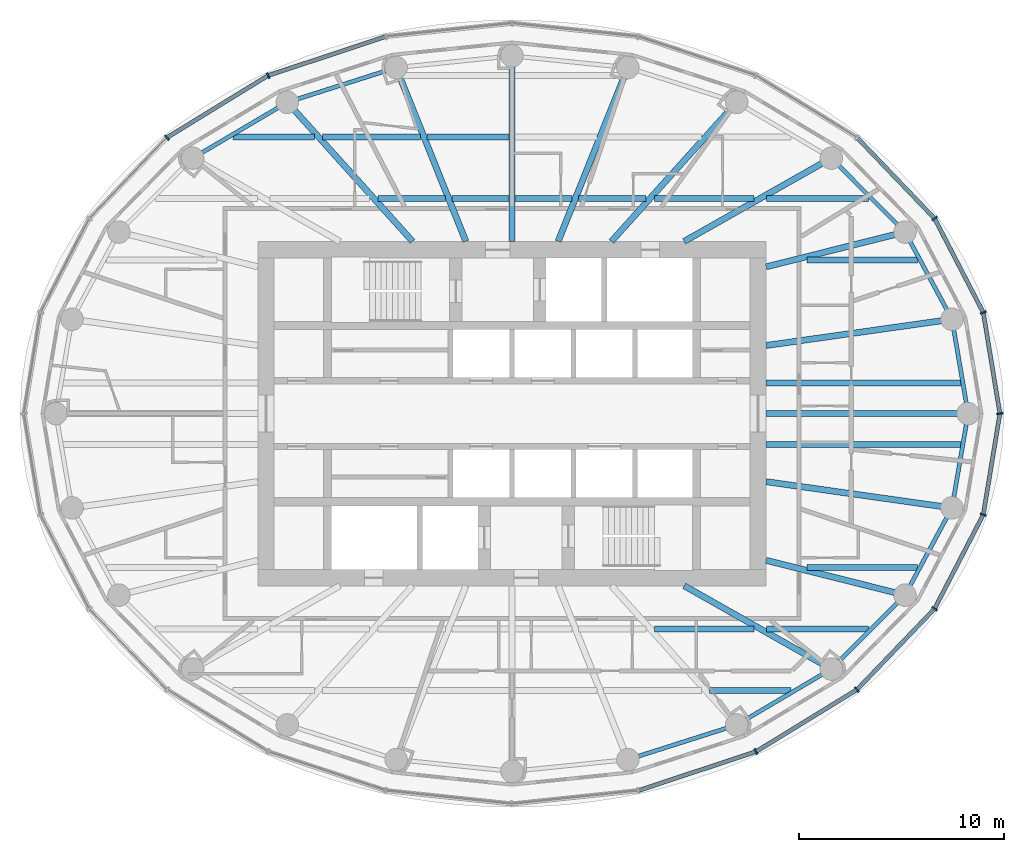
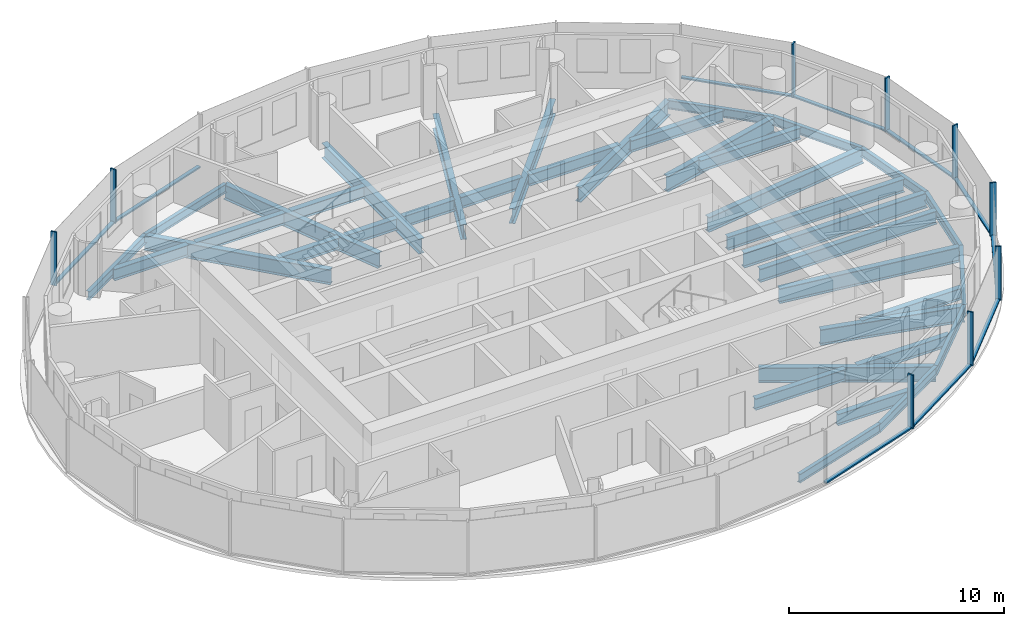
# One storey, part 3 of 14: 38 beams, 19 members, 3 elements without a shape of their own.
"""IFC4 building model written with IfcOpenShell, lengths in metres."""

import ifcopenshell
import ifcopenshell.guid

model = None  # the IFC model being written
_history = None  # IfcOwnerHistory: only IFC2X3 demands one
_inside = {}  # id of a spatial element -> (the spatial element, [elements in it])
_under = {}  # id of a project, library or spatial element -> (it, [spatial elements below it])
_declared = {}  # id of a project -> (the project, [libraries it declares])
_typed = {}  # id of a type object -> (the type object, [elements of that type])
_made_of = {}  # id of a material, layer set ... -> (it, [elements and type objects made of it])


def new_model(schema):
    """Start an empty IFC model of exactly this schema.

    Asked for "IFC4X3", IfcOpenShell would pick the latest addendum, in which some entities
    have other attributes; the version numbers below select the first issue.
    IFC2X3 requires an IfcOwnerHistory on every rooted entity: one is made here for all.
    """
    global model, _history
    if schema == "IFC4X3":
        model = ifcopenshell.file(schema_version=(4, 3, 0, 0))
    else:
        model = ifcopenshell.file(schema=schema)
    _inside.clear()
    _under.clear()
    _declared.clear()
    _typed.clear()
    _made_of.clear()
    _history = None
    if model.schema == "IFC2X3":
        org = make("IfcOrganization", Name="unknown")
        user = make(
            "IfcPersonAndOrganization",
            ThePerson=make("IfcPerson", FamilyName="unknown"),
            TheOrganization=org,
        )
        app = make(
            "IfcApplication",
            ApplicationDeveloper=org,
            Version="unknown",
            ApplicationFullName="unknown",
            ApplicationIdentifier="unknown",
        )
        _history = make(
            "IfcOwnerHistory",
            OwningUser=user,
            OwningApplication=app,
            ChangeAction="ADDED",
            CreationDate=0,
        )
    return model


def make(cls, **values):
    """One entity of the class cls with the attributes given. An attribute that is None is left unset."""
    return model.create_entity(
        cls, **{name: value for name, value in values.items() if value is not None}
    )


def rooted(cls, **values):
    """An entity with a GlobalId (a new one), such as an element, a storey or a relation."""
    return make(cls, GlobalId=ifcopenshell.guid.new(), OwnerHistory=_history, **values)


def si_unit(unit_type, name, prefix=None):
    """IfcSIUnit, for example si_unit("LENGTHUNIT", "METRE", prefix="MILLI")."""
    return make("IfcSIUnit", UnitType=unit_type, Prefix=prefix, Name=name)


def assignment(units):
    """IfcUnitAssignment: the units of a project."""
    return None if units is None else make("IfcUnitAssignment", Units=units)


def point(xyz):
    """IfcCartesianPoint."""
    return None if xyz is None else make("IfcCartesianPoint", Coordinates=xyz)


def direction(xyz):
    """IfcDirection."""
    return None if xyz is None else make("IfcDirection", DirectionRatios=xyz)


def frame(location, z_axis=None, x_axis=None):
    """IfcAxis2Placement3D, a coordinate frame: its origin and axes. An axis left out is left unset."""
    return make(
        "IfcAxis2Placement3D",
        Location=point(location),
        Axis=direction(z_axis),
        RefDirection=direction(x_axis),
    )


def frame_2d(location, x_axis=None):
    """IfcAxis2Placement2D, a coordinate frame in the plane: its origin and x axis."""
    return make(
        "IfcAxis2Placement2D", Location=point(location), RefDirection=direction(x_axis)
    )


def origin():
    """The frame at (0, 0, 0) with its axes left unset."""
    return frame((0.0, 0.0, 0.0))


def origin_2d():
    """The frame at (0, 0) in the plane with its x axis left unset."""
    return frame_2d((0.0, 0.0))


def place(relative_to, where):
    """IfcLocalPlacement: puts the frame where relative to a parent placement (None: the world)."""
    return make(
        "IfcLocalPlacement", PlacementRelTo=relative_to, RelativePlacement=where
    )


def context(
    kind, dimensions, precision=None, world=None, true_north=None, identifier=None
):
    """IfcGeometricRepresentationContext, for example the 3D "Model" context."""
    return make(
        "IfcGeometricRepresentationContext",
        ContextIdentifier=identifier,
        ContextType=kind,
        CoordinateSpaceDimension=dimensions,
        Precision=precision,
        WorldCoordinateSystem=world,
        TrueNorth=true_north,
    )


def subcontext(parent, identifier, kind, view, scale=None):
    """IfcGeometricRepresentationSubContext, for example "Body" below "Model"."""
    return make(
        "IfcGeometricRepresentationSubContext",
        ContextIdentifier=identifier,
        ContextType=kind,
        ParentContext=parent,
        TargetScale=scale,
        TargetView=view,
    )


def project(units=None, contexts=None):
    """IfcProject with its units and contexts."""
    return rooted(
        "IfcProject",
        Name="project",
        RepresentationContexts=contexts,
        UnitsInContext=assignment(units),
    )


def spatial(cls, under=None, at=None, **own):
    """A site, building, storey or space (cls), placed at a placement, below another one or the project."""
    s = rooted(cls, ObjectPlacement=at, **own)
    if under is not None:
        _under.setdefault(under.id(), (under, []))[1].append(s)
    return s


def profile(cls, at=None, kind="AREA", **sizes):
    """A parametric profile (cls). Its sizes go by their IFC names, for example OverallWidth=200.0."""
    return make(cls, ProfileType=kind, Position=at, **sizes)


def rectangle(**sizes):
    """IfcRectangleProfileDef."""
    return profile("IfcRectangleProfileDef", **sizes)


def i_section(**sizes):
    """IfcIShapeProfileDef."""
    return profile("IfcIShapeProfileDef", **sizes)


def extrude(swept, where, along, depth):
    """IfcExtrudedAreaSolid: the profile swept, set in the frame where, extruded along a direction by depth."""
    return make(
        "IfcExtrudedAreaSolid",
        SweptArea=swept,
        Position=where,
        ExtrudedDirection=direction(along),
        Depth=depth,
    )


def shape(context_of_items, identifier, shape_type, items):
    """IfcShapeRepresentation: the items that make up one representation, for example the "Body"."""
    return make(
        "IfcShapeRepresentation",
        ContextOfItems=context_of_items,
        RepresentationIdentifier=identifier,
        RepresentationType=shape_type,
        Items=items,
    )


def material(Name=None, Category=None):
    """IfcMaterial."""
    return make("IfcMaterial", Name=Name, Category=Category)


def material_profile(
    of_material, cross_section, Name=None, Category=None, Priority=None
):
    """IfcMaterialProfile: a cross section and its material."""
    return make(
        "IfcMaterialProfile",
        Name=Name,
        Material=of_material,
        Profile=cross_section,
        Priority=Priority,
        Category=Category,
    )


def profile_set(profiles, Name=None, composite=None):
    """IfcMaterialProfileSet."""
    return make(
        "IfcMaterialProfileSet",
        Name=Name,
        MaterialProfiles=profiles,
        CompositeProfile=composite,
    )


def made_of(thing, what):
    """Note that an element or type object is made of a material, layer set ...; save() writes the relation."""
    if what is not None:
        _made_of.setdefault(what.id(), (what, []))[1].append(thing)
    return thing


def type_object(cls, material=None, **own):
    """A type object (cls), such as IfcWallType, which elements share."""
    return made_of(rooted(cls, **own), material)


def element(
    cls,
    number,
    at=None,
    inside=None,
    cuts=None,
    type_object=None,
    material=None,
    context=None,
    identifier="Body",
    shape_type=None,
    held_by="IfcProductDefinitionShape",
    body=None,
    shapes=None,
    **own,
):
    """One element of the class cls, such as IfcWall. Its Tag is "e" and its number.

    at: its placement. inside: the storey or other place that contains it. cuts: it is an
    opening in that element (IfcRelVoidsElement). A single representation is given by context,
    identifier, shape_type and body (its items); several are given by shapes. held_by: the class
    of the entity that holds the representations. save() writes the other relations.
    """
    e = rooted(cls, Tag="e%d" % number, ObjectPlacement=at, **own)
    if body is not None:
        shapes = [shape(context, identifier, shape_type, body)]
    if shapes is not None:
        e.Representation = make(held_by, Representations=shapes)
    if inside is not None:
        _inside.setdefault(inside.id(), (inside, []))[1].append(e)
    if cuts is not None:
        rooted(
            "IfcRelVoidsElement", RelatingBuildingElement=cuts, RelatedOpeningElement=e
        )
    if type_object is not None:
        _typed.setdefault(type_object.id(), (type_object, []))[1].append(e)
    return made_of(e, material)


def aggregate(whole, parts):
    """IfcRelAggregates: a whole, such as a stair, and the parts it consists of."""
    return rooted("IfcRelAggregates", RelatingObject=whole, RelatedObjects=parts)


def save(model, path):
    """Write the relations noted so far, then the file.

    IfcRelAggregates (storeys below a building ...), IfcRelContainedInSpatialStructure (elements
    in a storey), IfcRelDefinesByType, IfcRelAssociatesMaterial and IfcRelDeclares: one each for
    every whole, place, type object, material and project.
    """
    for whole, parts in _under.values():
        aggregate(whole, parts)
    for where, things in _inside.values():
        rooted(
            "IfcRelContainedInSpatialStructure",
            RelatedElements=things,
            RelatingStructure=where,
        )
    for kind, things in _typed.values():
        rooted("IfcRelDefinesByType", RelatedObjects=things, RelatingType=kind)
    for what, things in _made_of.values():
        rooted("IfcRelAssociatesMaterial", RelatedObjects=things, RelatingMaterial=what)
    for by, libraries in _declared.values():
        rooted("IfcRelDeclares", RelatingContext=by, RelatedDefinitions=libraries)
    model.write(path)


model = new_model("IFC4")

# Units and contexts
model_context = context("Model", 3, precision=1e-05, world=origin(), true_north=direction((0.0, 1.0)))
body_context = subcontext(model_context, "Body", "Model", "MODEL_VIEW")
ifc_project = project(units=[si_unit("LENGTHUNIT", "METRE"), si_unit("AREAUNIT", "SQUARE_METRE"), si_unit("VOLUMEUNIT", "CUBIC_METRE"), si_unit("PLANEANGLEUNIT", "RADIAN"), si_unit("MASSUNIT", "GRAM", prefix="KILO")], contexts=[model_context])

# Site, building, storey
site_placement = place(None, origin())
site = spatial("IfcSite", under=ifc_project, at=site_placement, CompositionType="ELEMENT")
building_placement = place(site_placement, origin())
building = spatial("IfcBuilding", under=site, at=building_placement, Name="Hankou Lantern Tower", CompositionType="ELEMENT")
storey_placement = place(building_placement, frame((0.0, 0.0, 183.0)))
storey = spatial("IfcBuildingStorey", under=building, at=storey_placement, Name="L49", CompositionType="ELEMENT", Elevation=183.0)

# Beams
ifc_material_1 = material(Name="Steel Q355B", Category="steel")
ifc_material_profile_1 = material_profile(ifc_material_1, i_section(OverallWidth=0.199951171875, OverallDepth=0.5, WebThickness=0.010009765625, FlangeThickness=0.01611328125, FilletRadius=0.012939453125, at=origin_2d()), Name="HN500x200x10x16")
ifc_profile_set_1 = profile_set([ifc_material_profile_1], Name="Steel Q355B")
beam_type_1 = type_object("IfcBeamType", Name="EB5 RING BEAM HN500x200x10x16", PredefinedType="SPANDREL", material=ifc_profile_set_1)
beam_1_placement = place(storey_placement, frame((22.25, 0.0, -0.429931640625), z_axis=(-0.168680718946, 0.985670743735, 0.0), x_axis=(-0.985670743735, -0.168680718946, 0.0)))
element("IfcBeam", 1, at=beam_1_placement, inside=storey, type_object=beam_type_1, Name="Ring beam R01-R02 L49", PredefinedType="SPANDREL", context=body_context, shape_type="SweptSolid", body=[
    extrude(i_section(OverallWidth=0.199951171875, OverallDepth=0.5, WebThickness=0.010009765625, FlangeThickness=0.01611328125, FilletRadius=0.012939453125, at=origin_2d()), origin(), (0.0, 0.0, 1.0), 4.667724609375),
])
beam_2_placement = place(storey_placement, frame((21.462646484375, 4.600830078125, -0.429931640625), z_axis=(-0.474051612334, 0.880497057828, 0.0), x_axis=(-0.880497057828, -0.474051612334, 0.0)))
element("IfcBeam", 2, at=beam_2_placement, inside=storey, type_object=beam_type_1, Name="Ring beam R02-R03 L49", PredefinedType="SPANDREL", context=body_context, shape_type="SweptSolid", body=[
    extrude(i_section(OverallWidth=0.199951171875, OverallDepth=0.5, WebThickness=0.010009765625, FlangeThickness=0.01611328125, FilletRadius=0.012939453125, at=origin_2d()), origin(), (0.0, 0.0, 1.0), 4.831787109375),
])
beam_3_placement = place(storey_placement, frame((19.172119140625, 8.855224609375, -0.429931640625), z_axis=(-0.706147278092, 0.708064984054, 0.0), x_axis=(-0.708064984054, -0.706147278092, 0.0)))
element("IfcBeam", 3, at=beam_3_placement, inside=storey, type_object=beam_type_1, Name="Ring beam R03-R04 L49", PredefinedType="SPANDREL", context=body_context, shape_type="SweptSolid", body=[
    extrude(i_section(OverallWidth=0.199951171875, OverallDepth=0.5, WebThickness=0.010009765625, FlangeThickness=0.01611328125, FilletRadius=0.012939453125, at=origin_2d()), origin(), (0.0, 0.0, 1.0), 5.09228515625),
])
beam_4_placement = place(storey_placement, frame((-5.65283203125, 16.87744140625, -0.429931640625), z_axis=(-0.952790404271, -0.30362879562, 0.0), x_axis=(0.30362879562, -0.952790404271, 0.0)))
element("IfcBeam", 4, at=beam_4_placement, inside=storey, type_object=beam_type_1, Name="Ring beam R08-R09 L49", PredefinedType="SPANDREL", context=body_context, shape_type="SweptSolid", body=[
    extrude(i_section(OverallWidth=0.199951171875, OverallDepth=0.5, WebThickness=0.010009765625, FlangeThickness=0.01611328125, FilletRadius=0.012939453125, at=origin_2d()), origin(), (0.0, 0.0, 1.0), 5.56982421875),
])
beam_5_placement = place(storey_placement, frame((-10.959716796875, 15.186279296875, -0.429931640625), z_axis=(-0.861135888339, -0.508374843806, 0.0), x_axis=(0.508374843806, -0.861135888339, 0.0)))
element("IfcBeam", 5, at=beam_5_placement, inside=storey, type_object=beam_type_1, Name="Ring beam R09-R10 L49", PredefinedType="SPANDREL", context=body_context, shape_type="SweptSolid", body=[
    extrude(i_section(OverallWidth=0.199951171875, OverallDepth=0.5, WebThickness=0.010009765625, FlangeThickness=0.01611328125, FilletRadius=0.012939453125, at=origin_2d()), origin(), (0.0, 0.0, 1.0), 5.36083984375),
])
beam_6_placement = place(storey_placement, frame((5.65283203125, -16.87744140625, -0.429931640625), z_axis=(0.952790404271, 0.30362879562, 0.0), x_axis=(-0.30362879562, 0.952790404271, 0.0)))
element("IfcBeam", 6, at=beam_6_placement, inside=storey, type_object=beam_type_1, Name="Ring beam R20-R21 L49", PredefinedType="SPANDREL", context=body_context, shape_type="SweptSolid", body=[
    extrude(i_section(OverallWidth=0.199951171875, OverallDepth=0.5, WebThickness=0.010009765625, FlangeThickness=0.01611328125, FilletRadius=0.012939453125, at=origin_2d()), origin(), (0.0, 0.0, 1.0), 5.56982421875),
])
beam_7_placement = place(storey_placement, frame((10.959716796875, -15.186279296875, -0.429931640625), z_axis=(0.861135888339, 0.508374843806, 0.0), x_axis=(-0.508374843806, 0.861135888339, 0.0)))
element("IfcBeam", 7, at=beam_7_placement, inside=storey, type_object=beam_type_1, Name="Ring beam R21-R22 L49", PredefinedType="SPANDREL", context=body_context, shape_type="SweptSolid", body=[
    extrude(i_section(OverallWidth=0.199951171875, OverallDepth=0.5, WebThickness=0.010009765625, FlangeThickness=0.01611328125, FilletRadius=0.012939453125, at=origin_2d()), origin(), (0.0, 0.0, 1.0), 5.36083984375),
])
beam_8_placement = place(storey_placement, frame((15.576171875, -12.4609375, -0.429931640625), z_axis=(0.706147278092, 0.708064984054, 0.0), x_axis=(-0.708064984054, 0.706147278092, 0.0)))
element("IfcBeam", 8, at=beam_8_placement, inside=storey, type_object=beam_type_1, Name="Ring beam R22-R23 L49", PredefinedType="SPANDREL", context=body_context, shape_type="SweptSolid", body=[
    extrude(i_section(OverallWidth=0.199951171875, OverallDepth=0.5, WebThickness=0.010009765625, FlangeThickness=0.01611328125, FilletRadius=0.012939453125, at=origin_2d()), origin(), (0.0, 0.0, 1.0), 5.09228515625),
])
beam_9_placement = place(storey_placement, frame((19.172119140625, -8.855224609375, -0.429931640625), z_axis=(0.474051612334, 0.880497057828, 0.0), x_axis=(-0.880497057828, 0.474051612334, 0.0)))
element("IfcBeam", 9, at=beam_9_placement, inside=storey, type_object=beam_type_1, Name="Ring beam R23-R24 L49", PredefinedType="SPANDREL", context=body_context, shape_type="SweptSolid", body=[
    extrude(i_section(OverallWidth=0.199951171875, OverallDepth=0.5, WebThickness=0.010009765625, FlangeThickness=0.01611328125, FilletRadius=0.012939453125, at=origin_2d()), origin(), (0.0, 0.0, 1.0), 4.831787109375),
])
beam_10_placement = place(storey_placement, frame((21.462646484375, -4.600830078125, -0.429931640625), z_axis=(0.168680718946, 0.985670743735, 0.0), x_axis=(-0.985670743735, 0.168680718946, 0.0)))
element("IfcBeam", 10, at=beam_10_placement, inside=storey, type_object=beam_type_1, Name="Ring beam R24-R01 L49", PredefinedType="SPANDREL", context=body_context, shape_type="SweptSolid", body=[
    extrude(i_section(OverallWidth=0.199951171875, OverallDepth=0.5, WebThickness=0.010009765625, FlangeThickness=0.01611328125, FilletRadius=0.012939453125, at=origin_2d()), origin(), (0.0, 0.0, 1.0), 4.667724609375),
])

# Curtain wall, members
ifc_material_2 = material(Name="Glass, dark grey tinted laminated", Category="glass")
curtain_wall_type = type_object("IfcCurtainWallType", Name="CWC OUTER SKIN HIGH-RISE", PredefinedType="USERDEFINED", material=ifc_material_2)
curtain_wall_1_placement = place(storey_placement, origin())
curtain_wall_1 = element("IfcCurtainWall", 11, at=curtain_wall_1_placement, inside=storey, type_object=curtain_wall_type, Name="CWC L49 OS1", ObjectType="OUTER SKIN HIGH-RISE", PredefinedType="USERDEFINED")
ifc_material_3 = material(Name="Aluminium, black anodised", Category="aluminium")
ifc_material_profile_2 = material_profile(ifc_material_3, rectangle(XDim=0.080078125, YDim=0.300048828125, at=origin_2d()), Name="MU1 80X300")
ifc_profile_set_2 = profile_set([ifc_material_profile_2], Name="Aluminium, black anodised")
member_type_1 = type_object("IfcMemberType", Name="MU1 OUTER SKIN MULLION 80X300", PredefinedType="MULLION", material=ifc_profile_set_2)
member_1_placement = place(storey_placement, frame((23.800048828125, 0.0, 0.0), z_axis=(0.0, 0.0, 1.0), x_axis=(-0.162381515188, 0.986728049427, 0.0)))
member_1 = element("IfcMember", 12, at=member_1_placement, type_object=member_type_1, Name="CWC mullion 1", PredefinedType="MULLION", context=body_context, shape_type="SweptSolid", body=[
    extrude(rectangle(XDim=0.080078125, YDim=0.300048828125, at=origin_2d()), origin(), (0.0, 0.0, 1.0), 3.050048828125),
])
member_2_placement = place(storey_placement, frame((22.989013671875, 4.927978515625, 0.0), z_axis=(0.0, 0.0, 1.0), x_axis=(-0.317595577365, 0.94822626479, 0.0)))
member_2 = element("IfcMember", 13, at=member_2_placement, type_object=member_type_1, Name="CWC mullion 2", PredefinedType="MULLION", context=body_context, shape_type="SweptSolid", body=[
    extrude(rectangle(XDim=0.080078125, YDim=0.300048828125, at=origin_2d()), origin(), (0.0, 0.0, 1.0), 3.050048828125),
])
member_3_placement = place(storey_placement, frame((20.611328125, 9.52001953125, 0.0), z_axis=(0.0, 0.0, 1.0), x_axis=(-0.585205735974, 0.810884854084, 0.0)))
member_3 = element("IfcMember", 14, at=member_3_placement, type_object=member_type_1, Name="CWC mullion 3", PredefinedType="MULLION", context=body_context, shape_type="SweptSolid", body=[
    extrude(rectangle(XDim=0.080078125, YDim=0.300048828125, at=origin_2d()), origin(), (0.0, 0.0, 1.0), 3.050048828125),
])

curtain_wall_2_placement = place(storey_placement, origin())
curtain_wall_2 = element("IfcCurtainWall", 15, at=curtain_wall_2_placement, inside=storey, type_object=curtain_wall_type, Name="CWC L49 OS2", ObjectType="OUTER SKIN HIGH-RISE", PredefinedType="USERDEFINED")
member_4_placement = place(storey_placement, frame((-11.89990234375, 16.489013671875, 0.0), z_axis=(0.0, 0.0, 1.0), x_axis=(-0.907841299004, -0.419313934686, 0.0)))
member_4 = element("IfcMember", 16, at=member_4_placement, type_object=member_type_1, Name="CWC mullion 3", PredefinedType="MULLION", context=body_context, shape_type="SweptSolid", body=[
    extrude(rectangle(XDim=0.080078125, YDim=0.300048828125, at=origin_2d()), origin(), (0.0, 0.0, 1.0), 3.050048828125),
])
member_5_placement = place(storey_placement, frame((-16.8291015625, 13.46337890625, 0.0), z_axis=(0.0, 0.0, 1.0), x_axis=(-0.780868809444, -0.624695047553, 0.0)))
member_5 = element("IfcMember", 17, at=member_5_placement, type_object=member_type_1, Name="CWC mullion 4", PredefinedType="MULLION", context=body_context, shape_type="SweptSolid", body=[
    extrude(rectangle(XDim=0.080078125, YDim=0.300048828125, at=origin_2d()), origin(), (0.0, 0.0, 1.0), 3.050048828125),
])

curtain_wall_3_placement = place(storey_placement, origin())
curtain_wall_3 = element("IfcCurtainWall", 18, at=curtain_wall_3_placement, inside=storey, type_object=curtain_wall_type, Name="CWC L49 OS4", ObjectType="OUTER SKIN HIGH-RISE", PredefinedType="USERDEFINED")
member_6_placement = place(storey_placement, frame((11.89990234375, -16.489013671875, 0.0), z_axis=(0.0, 0.0, 1.0), x_axis=(0.907841299004, 0.419313934686, 0.0)))
member_6 = element("IfcMember", 19, at=member_6_placement, type_object=member_type_1, Name="CWC mullion 3", PredefinedType="MULLION", context=body_context, shape_type="SweptSolid", body=[
    extrude(rectangle(XDim=0.080078125, YDim=0.300048828125, at=origin_2d()), origin(), (0.0, 0.0, 1.0), 3.050048828125),
])
member_7_placement = place(storey_placement, frame((16.8291015625, -13.46337890625, 0.0), z_axis=(0.0, 0.0, 1.0), x_axis=(0.780868809444, 0.624695047553, 0.0)))
member_7 = element("IfcMember", 20, at=member_7_placement, type_object=member_type_1, Name="CWC mullion 4", PredefinedType="MULLION", context=body_context, shape_type="SweptSolid", body=[
    extrude(rectangle(XDim=0.080078125, YDim=0.300048828125, at=origin_2d()), origin(), (0.0, 0.0, 1.0), 3.050048828125),
])
member_8_placement = place(storey_placement, frame((20.611328125, -9.52001953125, 0.0), z_axis=(0.0, 0.0, 1.0), x_axis=(0.585205735974, 0.810884854084, 0.0)))
member_8 = element("IfcMember", 21, at=member_8_placement, type_object=member_type_1, Name="CWC mullion 5", PredefinedType="MULLION", context=body_context, shape_type="SweptSolid", body=[
    extrude(rectangle(XDim=0.080078125, YDim=0.300048828125, at=origin_2d()), origin(), (0.0, 0.0, 1.0), 3.050048828125),
])
member_9_placement = place(storey_placement, frame((22.989013671875, -4.927978515625, 0.0), z_axis=(0.0, 0.0, 1.0), x_axis=(0.317595577365, 0.94822626479, 0.0)))
member_9 = element("IfcMember", 22, at=member_9_placement, type_object=member_type_1, Name="CWC mullion 6", PredefinedType="MULLION", context=body_context, shape_type="SweptSolid", body=[
    extrude(rectangle(XDim=0.080078125, YDim=0.300048828125, at=origin_2d()), origin(), (0.0, 0.0, 1.0), 3.050048828125),
])

# Beams
ifc_material_4 = material(Name="Steel Q355B", Category="steel")
ifc_material_profile_3 = material_profile(ifc_material_4, i_section(OverallWidth=0.300048828125, OverallDepth=0.85009765625, WebThickness=0.01611328125, FlangeThickness=0.027099609375, FilletRadius=0.01806640625, at=origin_2d()), Name="HN850x300x16x27")
ifc_profile_set_3 = profile_set([ifc_material_profile_3], Name="Steel Q355B")
beam_type_2 = type_object("IfcBeamType", Name="RB12 RADIAL BEAM HN850x300x16x27", PredefinedType="BEAM", material=ifc_profile_set_3)
beam_11_placement = place(storey_placement, frame((12.39990234375, 0.0, -0.60498046875), z_axis=(1.0, 0.0, 0.0), x_axis=(0.0, 1.0, 0.0)))
element("IfcBeam", 23, at=beam_11_placement, inside=storey, type_object=beam_type_2, Name="Radial beam R01 L49", PredefinedType="BEAM", context=body_context, shape_type="SweptSolid", body=[
    extrude(i_section(OverallWidth=0.300048828125, OverallDepth=0.85009765625, WebThickness=0.01611328125, FlangeThickness=0.027099609375, FilletRadius=0.01806640625, at=origin_2d()), origin(), (0.0, 0.0, 1.0), 9.85009765625),
])
beam_12_placement = place(storey_placement, frame((12.39990234375, 3.322509765625, -0.60498046875), z_axis=(0.990198154617, 0.13966966239, 0.0), x_axis=(-0.13966966239, 0.990198154617, 0.0)))
element("IfcBeam", 24, at=beam_12_placement, inside=storey, type_object=beam_type_2, Name="Radial beam R02 L49", PredefinedType="BEAM", context=body_context, shape_type="SweptSolid", body=[
    extrude(i_section(OverallWidth=0.300048828125, OverallDepth=0.85009765625, WebThickness=0.01611328125, FlangeThickness=0.027099609375, FilletRadius=0.01806640625, at=origin_2d()), origin(), (0.0, 0.0, 1.0), 9.15234375),
])
beam_13_placement = place(storey_placement, frame((8.39990234375, 8.39990234375, -0.60498046875), z_axis=(0.870309058024, 0.492505983234, 0.0), x_axis=(-0.492505983234, 0.870309058024, 0.0)))
element("IfcBeam", 25, at=beam_13_placement, inside=storey, type_object=beam_type_2, Name="Radial beam R04 L49", PredefinedType="BEAM", context=body_context, shape_type="SweptSolid", body=[
    extrude(i_section(OverallWidth=0.300048828125, OverallDepth=0.85009765625, WebThickness=0.01611328125, FlangeThickness=0.027099609375, FilletRadius=0.01806640625, at=origin_2d()), origin(), (0.0, 0.0, 1.0), 8.24560546875),
])
beam_14_placement = place(storey_placement, frame((4.849853515625, 8.39990234375, -0.60498046875), z_axis=(0.669093231314, 0.743178476418, 0.0), x_axis=(-0.743178476418, 0.669093231314, 0.0)))
element("IfcBeam", 26, at=beam_14_placement, inside=storey, type_object=beam_type_2, Name="Radial beam R05 L49", PredefinedType="BEAM", context=body_context, shape_type="SweptSolid", body=[
    extrude(i_section(OverallWidth=0.300048828125, OverallDepth=0.85009765625, WebThickness=0.01611328125, FlangeThickness=0.027099609375, FilletRadius=0.01806640625, at=origin_2d()), origin(), (0.0, 0.0, 1.0), 9.131591796875),
])
beam_15_placement = place(storey_placement, frame((2.250732421875, 8.39990234375, -0.60498046875), z_axis=(0.372436468133, 0.928057690666, 0.0), x_axis=(-0.928057690666, 0.372436468133, 0.0)))
element("IfcBeam", 27, at=beam_15_placement, inside=storey, type_object=beam_type_2, Name="Radial beam R06 L49", PredefinedType="BEAM", context=body_context, shape_type="SweptSolid", body=[
    extrude(i_section(OverallWidth=0.300048828125, OverallDepth=0.85009765625, WebThickness=0.01611328125, FlangeThickness=0.027099609375, FilletRadius=0.01806640625, at=origin_2d()), origin(), (0.0, 0.0, 1.0), 9.134765625),
])
beam_16_placement = place(storey_placement, frame((0.0, 8.39990234375, -0.60498046875), z_axis=(0.0, 1.0, 0.0), x_axis=(-1.0, 0.0, 0.0)))
element("IfcBeam", 28, at=beam_16_placement, inside=storey, type_object=beam_type_2, Name="Radial beam R07 L49", PredefinedType="BEAM", context=body_context, shape_type="SweptSolid", body=[
    extrude(i_section(OverallWidth=0.300048828125, OverallDepth=0.85009765625, WebThickness=0.01611328125, FlangeThickness=0.027099609375, FilletRadius=0.01806640625, at=origin_2d()), origin(), (0.0, 0.0, 1.0), 9.050048828125),
])
beam_17_placement = place(storey_placement, frame((-2.250732421875, 8.39990234375, -0.60498046875), z_axis=(-0.372436468133, 0.928057690666, 0.0), x_axis=(-0.928057690666, -0.372436468133, 0.0)))
element("IfcBeam", 29, at=beam_17_placement, inside=storey, type_object=beam_type_2, Name="Radial beam R08 L49", PredefinedType="BEAM", context=body_context, shape_type="SweptSolid", body=[
    extrude(i_section(OverallWidth=0.300048828125, OverallDepth=0.85009765625, WebThickness=0.01611328125, FlangeThickness=0.027099609375, FilletRadius=0.01806640625, at=origin_2d()), origin(), (0.0, 0.0, 1.0), 9.134765625),
])
beam_18_placement = place(storey_placement, frame((-4.849853515625, 8.39990234375, -0.60498046875), z_axis=(-0.669093231314, 0.743178476418, 0.0), x_axis=(-0.743178476418, -0.669093231314, 0.0)))
element("IfcBeam", 30, at=beam_18_placement, inside=storey, type_object=beam_type_2, Name="Radial beam R09 L49", PredefinedType="BEAM", context=body_context, shape_type="SweptSolid", body=[
    extrude(i_section(OverallWidth=0.300048828125, OverallDepth=0.85009765625, WebThickness=0.01611328125, FlangeThickness=0.027099609375, FilletRadius=0.01806640625, at=origin_2d()), origin(), (0.0, 0.0, 1.0), 9.131591796875),
])
beam_19_placement = place(storey_placement, frame((8.39990234375, -8.39990234375, -0.60498046875), z_axis=(0.870309058024, -0.492505983234, 0.0), x_axis=(0.492505983234, 0.870309058024, 0.0)))
element("IfcBeam", 31, at=beam_19_placement, inside=storey, type_object=beam_type_2, Name="Radial beam R22 L49", PredefinedType="BEAM", context=body_context, shape_type="SweptSolid", body=[
    extrude(i_section(OverallWidth=0.300048828125, OverallDepth=0.85009765625, WebThickness=0.01611328125, FlangeThickness=0.027099609375, FilletRadius=0.01806640625, at=origin_2d()), origin(), (0.0, 0.0, 1.0), 8.24560546875),
])
beam_20_placement = place(storey_placement, frame((12.39990234375, -3.322509765625, -0.60498046875), z_axis=(0.990198154617, -0.13966966239, 0.0), x_axis=(0.13966966239, 0.990198154617, 0.0)))
element("IfcBeam", 32, at=beam_20_placement, inside=storey, type_object=beam_type_2, Name="Radial beam R24 L49", PredefinedType="BEAM", context=body_context, shape_type="SweptSolid", body=[
    extrude(i_section(OverallWidth=0.300048828125, OverallDepth=0.85009765625, WebThickness=0.01611328125, FlangeThickness=0.027099609375, FilletRadius=0.01806640625, at=origin_2d()), origin(), (0.0, 0.0, 1.0), 9.15234375),
])
ifc_material_5 = material(Name="Steel Q355B", Category="steel")
ifc_material_profile_4 = material_profile(ifc_material_5, i_section(OverallWidth=0.300048828125, OverallDepth=0.89990234375, WebThickness=0.01611328125, FlangeThickness=0.028076171875, FilletRadius=0.01806640625, at=origin_2d()), Name="HN900x300x16x28")
ifc_profile_set_4 = profile_set([ifc_material_profile_4], Name="Steel Q355B")
beam_type_3 = type_object("IfcBeamType", Name="RB13 RADIAL BEAM HN900x300x16x28", PredefinedType="BEAM", material=ifc_profile_set_4)
for number, where, z_axis, x_axis, name in (
    (33, (12.39990234375, 7.1591796875, -0.6298828125), (0.970041619568, 0.242938791274, 0.0), (-0.242938791274, 0.970041619568, 0.0), "Radial beam R03 L49"),
    (34, (12.39990234375, -7.1591796875, -0.6298828125), (0.970041619568, -0.242938791274, 0.0), (0.242938791274, 0.970041619568, 0.0), "Radial beam R23 L49"),
):
    element("IfcBeam", number, at=place(storey_placement, frame(where, z_axis=z_axis, x_axis=x_axis)), inside=storey, type_object=beam_type_3, Name=name, PredefinedType="BEAM", context=body_context, shape_type="SweptSolid", body=[
        extrude(i_section(OverallWidth=0.300048828125, OverallDepth=0.89990234375, WebThickness=0.01611328125, FlangeThickness=0.028076171875, FilletRadius=0.01806640625, at=origin_2d()), origin(), (0.0, 0.0, 1.0), 6.9814453125),
    ])
ifc_material_6 = material(Name="Steel Q355B", Category="steel")
ifc_material_profile_5 = material_profile(ifc_material_6, i_section(OverallWidth=0.300048828125, OverallDepth=0.75, WebThickness=0.012939453125, FlangeThickness=0.02392578125, FilletRadius=0.01806640625, at=origin_2d()), Name="HN750x300x13x24")
ifc_profile_set_5 = profile_set([ifc_material_profile_5], Name="Steel Q355B")
beam_type_4 = type_object("IfcBeamType", Name="SB10 SECONDARY BEAM HN750x300x13x24", PredefinedType="JOIST", material=ifc_profile_set_5)
for number, where, z_axis, x_axis, name in (
    (35, (12.39990234375, -1.5, -0.554931640625), (1.0, 0.0, 0.0), (0.0, 1.0, 0.0), "Floor joist J020 L49"),
    (36, (12.39990234375, 1.5, -0.554931640625), (1.0, 0.0, 0.0), (0.0, 1.0, 0.0), "Floor joist J022 L49"),
):
    element("IfcBeam", number, at=place(storey_placement, frame(where, z_axis=z_axis, x_axis=x_axis)), inside=storey, type_object=beam_type_4, Name=name, PredefinedType="JOIST", context=body_context, shape_type="SweptSolid", body=[
        extrude(i_section(OverallWidth=0.300048828125, OverallDepth=0.75, WebThickness=0.012939453125, FlangeThickness=0.02392578125, FilletRadius=0.01806640625, at=origin_2d()), origin(), (0.0, 0.0, 1.0), 9.491943359375),
    ])
ifc_material_7 = material(Name="Steel Q355B", Category="steel")
ifc_material_profile_6 = material_profile(ifc_material_7, i_section(OverallWidth=0.300048828125, OverallDepth=0.64990234375, WebThickness=0.010986328125, FlangeThickness=0.01708984375, FilletRadius=0.01806640625, at=origin_2d()), Name="HN650x300x11x17")
ifc_profile_set_6 = profile_set([ifc_material_profile_6], Name="Steel Q355B")
beam_type_5 = type_object("IfcBeamType", Name="SB8 SECONDARY BEAM HN650x300x11x17", PredefinedType="JOIST", material=ifc_profile_set_6)
beam_21_placement = place(storey_placement, frame((9.643310546875, -13.5, -0.5048828125), z_axis=(1.0, 0.0, 0.0), x_axis=(0.0, 1.0, 0.0)))
element("IfcBeam", 37, at=beam_21_placement, inside=storey, type_object=beam_type_5, Name="Floor joist J006 L49", PredefinedType="JOIST", context=body_context, shape_type="SweptSolid", body=[
    extrude(i_section(OverallWidth=0.300048828125, OverallDepth=0.64990234375, WebThickness=0.010986328125, FlangeThickness=0.01708984375, FilletRadius=0.01806640625, at=origin_2d()), origin(), (0.0, 0.0, 1.0), 3.97607421875),
])
beam_22_placement = place(storey_placement, frame((6.9423828125, -10.5, -0.5048828125), z_axis=(1.0, 0.0, 0.0), x_axis=(0.0, 1.0, 0.0)))
element("IfcBeam", 38, at=beam_22_placement, inside=storey, type_object=beam_type_5, Name="Floor joist J013 L49", PredefinedType="JOIST", context=body_context, shape_type="SweptSolid", body=[
    extrude(i_section(OverallWidth=0.300048828125, OverallDepth=0.64990234375, WebThickness=0.010986328125, FlangeThickness=0.01708984375, FilletRadius=0.01806640625, at=origin_2d()), origin(), (0.0, 0.0, 1.0), 4.864013671875),
])
beam_23_placement = place(storey_placement, frame((12.41552734375, -10.5, -0.5048828125), z_axis=(1.0, 0.0, 0.0), x_axis=(0.0, 1.0, 0.0)))
element("IfcBeam", 39, at=beam_23_placement, inside=storey, type_object=beam_type_5, Name="Floor joist J014 L49", PredefinedType="JOIST", context=body_context, shape_type="SweptSolid", body=[
    extrude(i_section(OverallWidth=0.300048828125, OverallDepth=0.64990234375, WebThickness=0.010986328125, FlangeThickness=0.01708984375, FilletRadius=0.01806640625, at=origin_2d()), origin(), (0.0, 0.0, 1.0), 4.97509765625),
])
for number, where, z_axis, x_axis, name in (
    (40, (14.37841796875, -7.5, -0.5048828125), (1.0, 0.0, 0.0), (0.0, 1.0, 0.0), "Floor joist J016 L49"),
    (41, (14.37841796875, 7.5, -0.5048828125), (1.0, 0.0, 0.0), (0.0, 1.0, 0.0), "Floor joist J026 L49"),
):
    element("IfcBeam", number, at=place(storey_placement, frame(where, z_axis=z_axis, x_axis=x_axis)), inside=storey, type_object=beam_type_5, Name=name, PredefinedType="JOIST", context=body_context, shape_type="SweptSolid", body=[
        extrude(i_section(OverallWidth=0.300048828125, OverallDepth=0.64990234375, WebThickness=0.010986328125, FlangeThickness=0.01708984375, FilletRadius=0.01806640625, at=origin_2d()), origin(), (0.0, 0.0, 1.0), 5.409912109375),
    ])
beam_24_placement = place(storey_placement, frame((-6.53857421875, 10.5, -0.5048828125), z_axis=(1.0, 0.0, 0.0), x_axis=(0.0, 1.0, 0.0)))
element("IfcBeam", 42, at=beam_24_placement, inside=storey, type_object=beam_type_5, Name="Floor joist J029 L49", PredefinedType="JOIST", context=body_context, shape_type="SweptSolid", body=[
    extrude(i_section(OverallWidth=0.300048828125, OverallDepth=0.64990234375, WebThickness=0.010986328125, FlangeThickness=0.01708984375, FilletRadius=0.01806640625, at=origin_2d()), origin(), (0.0, 0.0, 1.0), 3.283447265625),
])
for number, where, z_axis, x_axis, name in (
    (43, (-2.931884765625, 10.5, -0.5048828125), (1.0, 0.0, 0.0), (0.0, 1.0, 0.0), "Floor joist J030 L49"),
    (44, (0.14990234375, 10.5, -0.5048828125), (1.0, 0.0, 0.0), (0.0, 1.0, 0.0), "Floor joist J031 L49"),
):
    element("IfcBeam", number, at=place(storey_placement, frame(where, z_axis=z_axis, x_axis=x_axis)), inside=storey, type_object=beam_type_5, Name=name, PredefinedType="JOIST", context=body_context, shape_type="SweptSolid", body=[
        extrude(i_section(OverallWidth=0.300048828125, OverallDepth=0.64990234375, WebThickness=0.010986328125, FlangeThickness=0.01708984375, FilletRadius=0.01806640625, at=origin_2d()), origin(), (0.0, 0.0, 1.0), 2.781982421875),
    ])
beam_25_placement = place(storey_placement, frame((3.255126953125, 10.5, -0.5048828125), z_axis=(1.0, 0.0, 0.0), x_axis=(0.0, 1.0, 0.0)))
element("IfcBeam", 45, at=beam_25_placement, inside=storey, type_object=beam_type_5, Name="Floor joist J032 L49", PredefinedType="JOIST", context=body_context, shape_type="SweptSolid", body=[
    extrude(i_section(OverallWidth=0.300048828125, OverallDepth=0.64990234375, WebThickness=0.010986328125, FlangeThickness=0.01708984375, FilletRadius=0.01806640625, at=origin_2d()), origin(), (0.0, 0.0, 1.0), 3.283447265625),
])
beam_26_placement = place(storey_placement, frame((6.9423828125, 10.5, -0.5048828125), z_axis=(1.0, 0.0, 0.0), x_axis=(0.0, 1.0, 0.0)))
element("IfcBeam", 46, at=beam_26_placement, inside=storey, type_object=beam_type_5, Name="Floor joist J033 L49", PredefinedType="JOIST", context=body_context, shape_type="SweptSolid", body=[
    extrude(i_section(OverallWidth=0.300048828125, OverallDepth=0.64990234375, WebThickness=0.010986328125, FlangeThickness=0.01708984375, FilletRadius=0.01806640625, at=origin_2d()), origin(), (0.0, 0.0, 1.0), 4.864013671875),
])
beam_27_placement = place(storey_placement, frame((12.41552734375, 10.5, -0.5048828125), z_axis=(1.0, 0.0, 0.0), x_axis=(0.0, 1.0, 0.0)))
element("IfcBeam", 47, at=beam_27_placement, inside=storey, type_object=beam_type_5, Name="Floor joist J034 L49", PredefinedType="JOIST", context=body_context, shape_type="SweptSolid", body=[
    extrude(i_section(OverallWidth=0.300048828125, OverallDepth=0.64990234375, WebThickness=0.010986328125, FlangeThickness=0.01708984375, FilletRadius=0.01806640625, at=origin_2d()), origin(), (0.0, 0.0, 1.0), 4.97509765625),
])
beam_28_placement = place(storey_placement, frame((-13.619384765625, 13.5, -0.5048828125), z_axis=(1.0, 0.0, 0.0), x_axis=(0.0, 1.0, 0.0)))
element("IfcBeam", 48, at=beam_28_placement, inside=storey, type_object=beam_type_5, Name="Floor joist J035 L49", PredefinedType="JOIST", context=body_context, shape_type="SweptSolid", body=[
    extrude(i_section(OverallWidth=0.300048828125, OverallDepth=0.64990234375, WebThickness=0.010986328125, FlangeThickness=0.01708984375, FilletRadius=0.01806640625, at=origin_2d()), origin(), (0.0, 0.0, 1.0), 3.97607421875),
])
beam_29_placement = place(storey_placement, frame((-9.23974609375, 13.5, -0.5048828125), z_axis=(1.0, 0.0, 0.0), x_axis=(0.0, 1.0, 0.0)))
element("IfcBeam", 49, at=beam_29_placement, inside=storey, type_object=beam_type_5, Name="Floor joist J036 L49", PredefinedType="JOIST", context=body_context, shape_type="SweptSolid", body=[
    extrude(i_section(OverallWidth=0.300048828125, OverallDepth=0.64990234375, WebThickness=0.010986328125, FlangeThickness=0.01708984375, FilletRadius=0.01806640625, at=origin_2d()), origin(), (0.0, 0.0, 1.0), 4.780517578125),
])
beam_30_placement = place(storey_placement, frame((-4.135986328125, 13.5, -0.5048828125), z_axis=(1.0, 0.0, 0.0), x_axis=(0.0, 1.0, 0.0)))
element("IfcBeam", 50, at=beam_30_placement, inside=storey, type_object=beam_type_5, Name="Floor joist J037 L49", PredefinedType="JOIST", context=body_context, shape_type="SweptSolid", body=[
    extrude(i_section(OverallWidth=0.300048828125, OverallDepth=0.64990234375, WebThickness=0.010986328125, FlangeThickness=0.01708984375, FilletRadius=0.01806640625, at=origin_2d()), origin(), (0.0, 0.0, 1.0), 3.986083984375),
])

# Member
ifc_material_8 = material(Name="Aluminium, black anodised", Category="aluminium")
ifc_material_profile_7 = material_profile(ifc_material_8, rectangle(XDim=0.199951171875, YDim=0.080078125, at=origin_2d()), Name="TR1 200X80")
ifc_profile_set_7 = profile_set([ifc_material_profile_7], Name="Aluminium, black anodised")
member_type_2 = type_object("IfcMemberType", Name="TR1 OUTER SKIN TRANSOM 200X80", PredefinedType="USERDEFINED", material=ifc_profile_set_7)
member_10_placement = place(storey_placement, frame((23.79345703125, 0.03955078125, 0.0400390625), z_axis=(-0.162360337061, 0.986731534385, 0.0), x_axis=(-0.986731534385, -0.162360337061, 0.0)))
member_10 = element("IfcMember", 51, at=member_10_placement, type_object=member_type_2, Name="CWC transom 1", ObjectType="TRANSOM", PredefinedType="USERDEFINED", context=body_context, shape_type="SweptSolid", body=[
    extrude(rectangle(XDim=0.199951171875, YDim=0.080078125, at=origin_2d()), origin(), (0.0, 0.0, 1.0), 4.9140625),
])

member_11_placement = place(storey_placement, frame((22.970703125, 4.96337890625, 0.0400390625), z_axis=(-0.459790772977, 0.888027277219, 0.0), x_axis=(-0.888027277219, -0.459790772977, 0.0)))
member_11 = element("IfcMember", 52, at=member_11_placement, type_object=member_type_2, Name="CWC transom 2", ObjectType="TRANSOM", PredefinedType="USERDEFINED", context=body_context, shape_type="SweptSolid", body=[
    extrude(rectangle(XDim=0.199951171875, YDim=0.080078125, at=origin_2d()), origin(), (0.0, 0.0, 1.0), 5.091064453125),
])

member_12_placement = place(storey_placement, frame((20.583740234375, 9.548828125, 0.0400390625), z_axis=(-0.692215543831, 0.721690820836, 0.0), x_axis=(-0.721690820836, -0.692215543831, 0.0)))
member_12 = element("IfcMember", 53, at=member_12_placement, type_object=member_type_2, Name="CWC transom 3", ObjectType="TRANSOM", PredefinedType="USERDEFINED", context=body_context, shape_type="SweptSolid", body=[
    extrude(rectangle(XDim=0.199951171875, YDim=0.080078125, at=origin_2d()), origin(), (0.0, 0.0, 1.0), 5.3837890625),
])

aggregate(curtain_wall_1, [member_1, member_2, member_3, member_10, member_11, member_12])

member_13_placement = place(storey_placement, frame((-6.19775390625, 18.378662109375, 0.0400390625), z_axis=(-0.949242327551, -0.314545709849, 0.0), x_axis=(0.314545709849, -0.949242327551, 0.0)))
member_13 = element("IfcMember", 54, at=member_13_placement, type_object=member_type_2, Name="CWC transom 2", ObjectType="TRANSOM", PredefinedType="USERDEFINED", context=body_context, shape_type="SweptSolid", body=[
    extrude(rectangle(XDim=0.199951171875, YDim=0.080078125, at=origin_2d()), origin(), (0.0, 0.0, 1.0), 5.96728515625),
])

member_14_placement = place(storey_placement, frame((-11.93408203125, 16.46826171875, 0.0400390625), z_axis=(-0.852229482357, -0.523168146394, 0.0), x_axis=(0.523168146394, -0.852229482357, 0.0)))
member_14 = element("IfcMember", 55, at=member_14_placement, type_object=member_type_2, Name="CWC transom 3", ObjectType="TRANSOM", PredefinedType="USERDEFINED", context=body_context, shape_type="SweptSolid", body=[
    extrude(rectangle(XDim=0.199951171875, YDim=0.080078125, at=origin_2d()), origin(), (0.0, 0.0, 1.0), 5.703857421875),
])

aggregate(curtain_wall_2, [member_4, member_5, member_13, member_14])

member_15_placement = place(storey_placement, frame((6.19775390625, -18.378662109375, 0.0400390625), z_axis=(0.949242327551, 0.314545709849, 0.0), x_axis=(-0.314545709849, 0.949242327551, 0.0)))
member_15 = element("IfcMember", 56, at=member_15_placement, type_object=member_type_2, Name="CWC transom 2", ObjectType="TRANSOM", PredefinedType="USERDEFINED", context=body_context, shape_type="SweptSolid", body=[
    extrude(rectangle(XDim=0.199951171875, YDim=0.080078125, at=origin_2d()), origin(), (0.0, 0.0, 1.0), 5.96728515625),
])

member_16_placement = place(storey_placement, frame((11.93408203125, -16.46826171875, 0.0400390625), z_axis=(0.852229482357, 0.523168146394, 0.0), x_axis=(-0.523168146394, 0.852229482357, 0.0)))
member_16 = element("IfcMember", 57, at=member_16_placement, type_object=member_type_2, Name="CWC transom 3", ObjectType="TRANSOM", PredefinedType="USERDEFINED", context=body_context, shape_type="SweptSolid", body=[
    extrude(rectangle(XDim=0.199951171875, YDim=0.080078125, at=origin_2d()), origin(), (0.0, 0.0, 1.0), 5.703857421875),
])

member_17_placement = place(storey_placement, frame((16.85693359375, -13.434326171875, 0.0400390625), z_axis=(0.692215543831, 0.721690820836, 0.0), x_axis=(-0.721690820836, 0.692215543831, 0.0)))
member_17 = element("IfcMember", 58, at=member_17_placement, type_object=member_type_2, Name="CWC transom 4", ObjectType="TRANSOM", PredefinedType="USERDEFINED", context=body_context, shape_type="SweptSolid", body=[
    extrude(rectangle(XDim=0.199951171875, YDim=0.080078125, at=origin_2d()), origin(), (0.0, 0.0, 1.0), 5.3837890625),
])

member_18_placement = place(storey_placement, frame((20.6298828125, -9.484375, 0.0400390625), z_axis=(0.459790772977, 0.888027277219, 0.0), x_axis=(-0.888027277219, 0.459790772977, 0.0)))
member_18 = element("IfcMember", 59, at=member_18_placement, type_object=member_type_2, Name="CWC transom 5", ObjectType="TRANSOM", PredefinedType="USERDEFINED", context=body_context, shape_type="SweptSolid", body=[
    extrude(rectangle(XDim=0.199951171875, YDim=0.080078125, at=origin_2d()), origin(), (0.0, 0.0, 1.0), 5.091064453125),
])

member_19_placement = place(storey_placement, frame((22.99560546875, -4.888427734375, 0.0400390625), z_axis=(0.162360337061, 0.986731534385, 0.0), x_axis=(-0.986731534385, 0.162360337061, 0.0)))
member_19 = element("IfcMember", 60, at=member_19_placement, type_object=member_type_2, Name="CWC transom 6", ObjectType="TRANSOM", PredefinedType="USERDEFINED", context=body_context, shape_type="SweptSolid", body=[
    extrude(rectangle(XDim=0.199951171875, YDim=0.080078125, at=origin_2d()), origin(), (0.0, 0.0, 1.0), 4.9140625),
])

aggregate(curtain_wall_3, [member_6, member_7, member_8, member_9, member_15, member_16, member_17, member_18, member_19])

save(model, "model.ifc")
